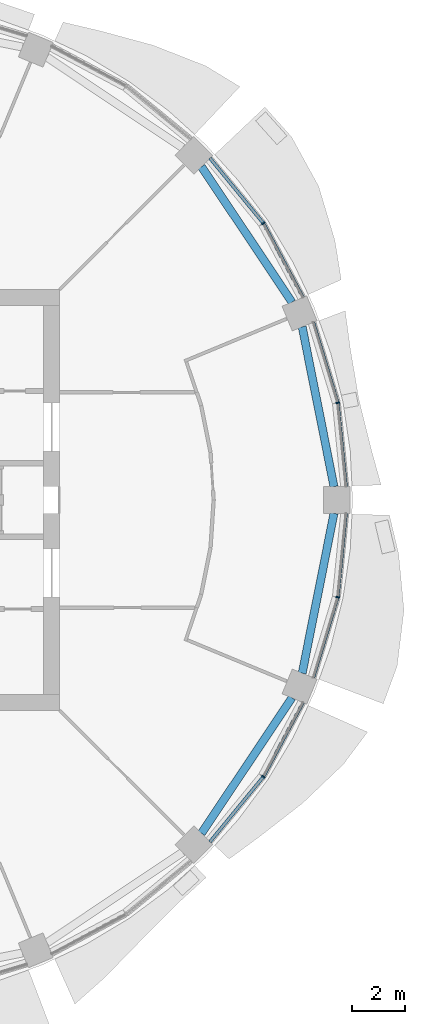
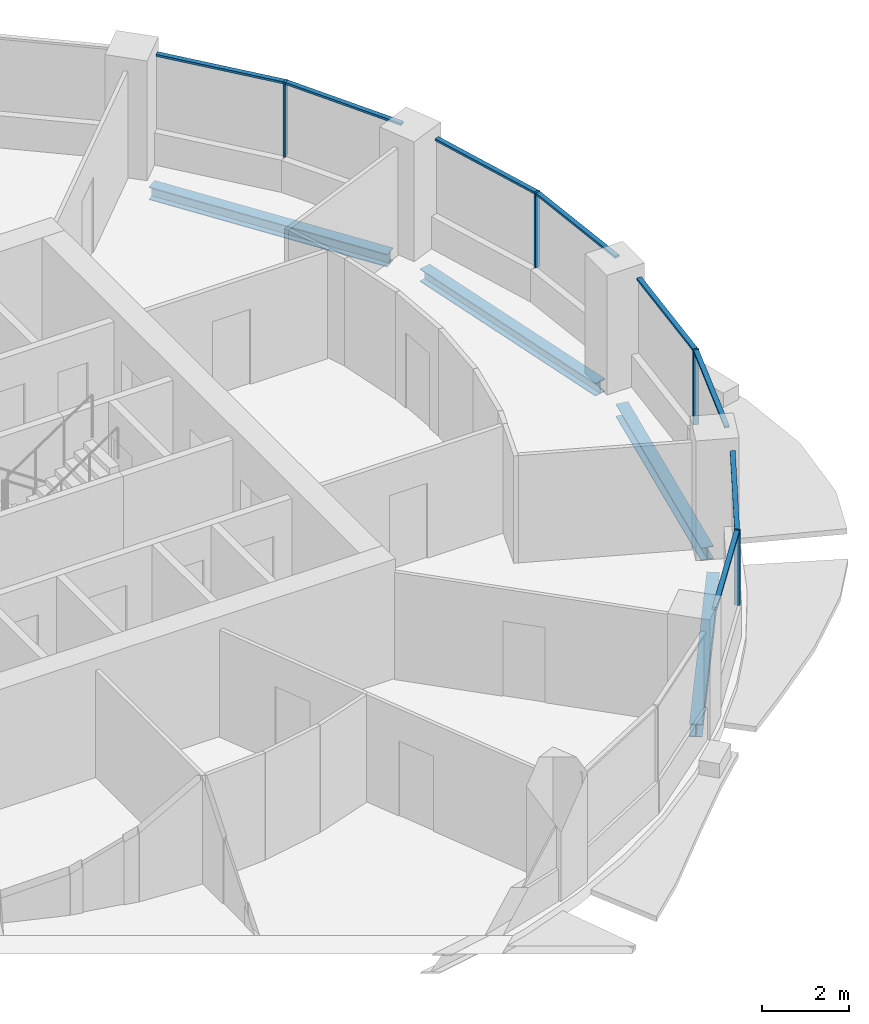
# One storey, part 5 of 15: 12 members, 4 beams, 4 elements without a shape of their own.
"""IFC4 building model written with IfcOpenShell, lengths in metres."""

from ifc_helpers import new_model, si_unit, direction, frame, origin, origin_2d, place, context, subcontext, project, spatial, rectangle, i_section, extrude, material, material_profile, profile_set, type_object, element, aggregate, save


model = new_model("IFC4")

# Units and contexts
model_context = context("Model", 3, precision=1e-05, world=origin(), true_north=direction((0.0, 1.0)))
body_context = subcontext(model_context, "Body", "Model", "MODEL_VIEW")
ifc_project = project(units=[si_unit("LENGTHUNIT", "METRE"), si_unit("AREAUNIT", "SQUARE_METRE"), si_unit("VOLUMEUNIT", "CUBIC_METRE"), si_unit("PLANEANGLEUNIT", "RADIAN"), si_unit("MASSUNIT", "GRAM", prefix="KILO")], contexts=[model_context])

# Site, building, storey
site_placement = place(None, origin())
site = spatial("IfcSite", under=ifc_project, at=site_placement, CompositionType="ELEMENT")
building_placement = place(site_placement, origin())
building = spatial("IfcBuilding", under=site, at=building_placement, Name="Polderwave Tower", CompositionType="ELEMENT")
storey_placement = place(building_placement, frame((0.0, 0.0, 157.800048828125)))
storey = spatial("IfcBuildingStorey", under=building, at=storey_placement, Name="L42", CompositionType="ELEMENT", Elevation=157.800048828125)

# Curtain wall, member
ifc_material_1 = material(Name="Aluminium 6063-T6 and glass", Category="aluminium")
curtain_wall_type = type_object("IfcCurtainWallType", Name="Office ribbon glazing wall", PredefinedType="NOTDEFINED", material=ifc_material_1)
curtain_wall_1_placement = place(storey_placement, origin())
curtain_wall_1 = element("IfcCurtainWall", 1, at=curtain_wall_1_placement, inside=storey, type_object=curtain_wall_type, Name="CW3 L42 00", PredefinedType="NOTDEFINED")
ifc_material_2 = material(Name="Aluminium 6063-T6", Category="aluminium")
ifc_material_profile_1 = material_profile(ifc_material_2, rectangle(XDim=0.139892578125, YDim=0.054931640625, at=origin_2d()), Name="AL 55x140")
ifc_profile_set_1 = profile_set([ifc_material_profile_1], Name="Aluminium 6063-T6")
member_type_1 = type_object("IfcMemberType", Name="Office ribbon glazing mullion 55x140", PredefinedType="MULLION", material=ifc_profile_set_1)
member_1_placement = place(storey_placement, frame((18.27197265625, 3.635009765625, 0.89990234375), z_axis=(0.0, 0.0, 1.0), x_axis=(-0.980786642367, -0.195083474838, 0.0)))
member_1 = element("IfcMember", 2, at=member_1_placement, type_object=member_type_1, Name="CW3 mullion 1", PredefinedType="MULLION", context=body_context, shape_type="SweptSolid", body=[
    extrude(rectangle(XDim=0.139892578125, YDim=0.054931640625, at=origin_2d()), origin(), (0.0, 0.0, 1.0), 2.10009765625),
])

curtain_wall_2_placement = place(storey_placement, origin())
curtain_wall_2 = element("IfcCurtainWall", 3, at=curtain_wall_2_placement, inside=storey, type_object=curtain_wall_type, Name="CW3 L42 01", PredefinedType="NOTDEFINED")
member_2_placement = place(storey_placement, frame((15.489990234375, 10.35009765625, 0.89990234375), z_axis=(0.0, 0.0, 1.0), x_axis=(-0.831484156812, -0.555548465006, 0.0)))
member_2 = element("IfcMember", 4, at=member_2_placement, type_object=member_type_1, Name="CW3 mullion 1", PredefinedType="MULLION", context=body_context, shape_type="SweptSolid", body=[
    extrude(rectangle(XDim=0.139892578125, YDim=0.054931640625, at=origin_2d()), origin(), (0.0, 0.0, 1.0), 2.10009765625),
])

curtain_wall_3_placement = place(storey_placement, origin())
curtain_wall_3 = element("IfcCurtainWall", 5, at=curtain_wall_3_placement, inside=storey, type_object=curtain_wall_type, Name="CW3 L42 14", PredefinedType="NOTDEFINED")
member_3_placement = place(storey_placement, frame((15.489990234375, -10.35009765625, 0.89990234375), z_axis=(0.0, 0.0, 1.0), x_axis=(-0.831484156812, 0.555548465006, 0.0)))
member_3 = element("IfcMember", 6, at=member_3_placement, type_object=member_type_1, Name="CW3 mullion 1", PredefinedType="MULLION", context=body_context, shape_type="SweptSolid", body=[
    extrude(rectangle(XDim=0.139892578125, YDim=0.054931640625, at=origin_2d()), origin(), (0.0, 0.0, 1.0), 2.10009765625),
])

curtain_wall_4_placement = place(storey_placement, origin())
curtain_wall_4 = element("IfcCurtainWall", 7, at=curtain_wall_4_placement, inside=storey, type_object=curtain_wall_type, Name="CW3 L42 15", PredefinedType="NOTDEFINED")
member_4_placement = place(storey_placement, frame((18.27197265625, -3.635009765625, 0.89990234375), z_axis=(0.0, 0.0, 1.0), x_axis=(-0.980786642367, 0.195083474838, 0.0)))
member_4 = element("IfcMember", 8, at=member_4_placement, type_object=member_type_1, Name="CW3 mullion 1", PredefinedType="MULLION", context=body_context, shape_type="SweptSolid", body=[
    extrude(rectangle(XDim=0.139892578125, YDim=0.054931640625, at=origin_2d()), origin(), (0.0, 0.0, 1.0), 2.10009765625),
])

# Member
ifc_material_profile_2 = material_profile(ifc_material_2, rectangle(XDim=0.1201171875, YDim=0.06005859375, at=origin_2d()), Name="AL 60x120")
ifc_profile_set_2 = profile_set([ifc_material_profile_2], Name="Aluminium 6063-T6")
member_type_2 = type_object("IfcMemberType", Name="Office ribbon glazing transom 60x120", PredefinedType="USERDEFINED", material=ifc_profile_set_2)
member_5_placement = place(storey_placement, frame((18.5810546875, 0.5, 2.969970703125), z_axis=(-0.098118026186, 0.995174785119, 0.0), x_axis=(-0.995174785119, -0.098118026186, 0.0)))
member_5 = element("IfcMember", 9, at=member_5_placement, type_object=member_type_2, Name="CW3 transom 1", ObjectType="TRANSOM", PredefinedType="USERDEFINED", context=body_context, shape_type="SweptSolid", body=[
    extrude(rectangle(XDim=0.1201171875, YDim=0.06005859375, at=origin_2d()), origin(), (0.0, 0.0, 1.0), 3.122802734375),
])

member_6_placement = place(storey_placement, frame((18.263916015625, 3.661376953125, 2.969970703125), z_axis=(-0.290209241883, 0.956963215555, 0.0), x_axis=(-0.956963215555, -0.290209241883, 0.0)))
member_6 = element("IfcMember", 10, at=member_6_placement, type_object=member_type_2, Name="CW3 transom 2", ObjectType="TRANSOM", PredefinedType="USERDEFINED", context=body_context, shape_type="SweptSolid", body=[
    extrude(rectangle(XDim=0.1201171875, YDim=0.06005859375, at=origin_2d()), origin(), (0.0, 0.0, 1.0), 3.121826171875),
])

aggregate(curtain_wall_1, [member_1, member_5, member_6])

member_7_placement = place(storey_placement, frame((16.97509765625, 7.572021484375, 2.969970703125), z_axis=(-0.471472684712, 0.881880665153, 0.0), x_axis=(-0.881880665153, -0.471472684712, 0.0)))
member_7 = element("IfcMember", 11, at=member_7_placement, type_object=member_type_2, Name="CW3 transom 1", ObjectType="TRANSOM", PredefinedType="USERDEFINED", context=body_context, shape_type="SweptSolid", body=[
    extrude(rectangle(XDim=0.1201171875, YDim=0.06005859375, at=origin_2d()), origin(), (0.0, 0.0, 1.0), 3.12255859375),
])

member_8_placement = place(storey_placement, frame((15.47265625, 10.371337890625, 2.969970703125), z_axis=(-0.634382512988, 0.773019292913, 0.0), x_axis=(-0.773019292913, -0.634382512988, 0.0)))
member_8 = element("IfcMember", 12, at=member_8_placement, type_object=member_type_2, Name="CW3 transom 2", ObjectType="TRANSOM", PredefinedType="USERDEFINED", context=body_context, shape_type="SweptSolid", body=[
    extrude(rectangle(XDim=0.1201171875, YDim=0.06005859375, at=origin_2d()), origin(), (0.0, 0.0, 1.0), 3.122314453125),
])

aggregate(curtain_wall_2, [member_2, member_7, member_8])

member_9_placement = place(storey_placement, frame((13.491943359375, -12.784912109375, 2.969970703125), z_axis=(0.634382512988, 0.773019292913, 0.0), x_axis=(-0.773019292913, 0.634382512988, 0.0)))
member_9 = element("IfcMember", 13, at=member_9_placement, type_object=member_type_2, Name="CW3 transom 1", ObjectType="TRANSOM", PredefinedType="USERDEFINED", context=body_context, shape_type="SweptSolid", body=[
    extrude(rectangle(XDim=0.1201171875, YDim=0.06005859375, at=origin_2d()), origin(), (0.0, 0.0, 1.0), 3.122314453125),
])

member_10_placement = place(storey_placement, frame((15.5029296875, -10.32568359375, 2.969970703125), z_axis=(0.471472684712, 0.881880665153, 0.0), x_axis=(-0.881880665153, 0.471472684712, 0.0)))
member_10 = element("IfcMember", 14, at=member_10_placement, type_object=member_type_2, Name="CW3 transom 2", ObjectType="TRANSOM", PredefinedType="USERDEFINED", context=body_context, shape_type="SweptSolid", body=[
    extrude(rectangle(XDim=0.1201171875, YDim=0.06005859375, at=origin_2d()), origin(), (0.0, 0.0, 1.0), 3.12255859375),
])

aggregate(curtain_wall_3, [member_3, member_9, member_10])

member_11_placement = place(storey_placement, frame((17.35791015625, -6.64892578125, 2.969970703125), z_axis=(0.290209241883, 0.956963215555, 0.0), x_axis=(-0.956963215555, 0.290209241883, 0.0)))
member_11 = element("IfcMember", 15, at=member_11_placement, type_object=member_type_2, Name="CW3 transom 1", ObjectType="TRANSOM", PredefinedType="USERDEFINED", context=body_context, shape_type="SweptSolid", body=[
    extrude(rectangle(XDim=0.1201171875, YDim=0.06005859375, at=origin_2d()), origin(), (0.0, 0.0, 1.0), 3.121826171875),
])

member_12_placement = place(storey_placement, frame((18.274658203125, -3.607666015625, 2.969970703125), z_axis=(0.098118026186, 0.995174785119, 0.0), x_axis=(-0.995174785119, 0.098118026186, 0.0)))
member_12 = element("IfcMember", 16, at=member_12_placement, type_object=member_type_2, Name="CW3 transom 2", ObjectType="TRANSOM", PredefinedType="USERDEFINED", context=body_context, shape_type="SweptSolid", body=[
    extrude(rectangle(XDim=0.1201171875, YDim=0.06005859375, at=origin_2d()), origin(), (0.0, 0.0, 1.0), 3.122802734375),
])

aggregate(curtain_wall_4, [member_4, member_11, member_12])

# Beams
ifc_material_3 = material(Name="Steel S355", Category="steel")
ifc_material_profile_3 = material_profile(ifc_material_3, i_section(OverallWidth=0.300048828125, OverallDepth=0.360107421875, WebThickness=0.012451171875, FlangeThickness=0.0224609375, at=origin_2d()), Name="HE 360 B")
ifc_profile_set_3 = profile_set([ifc_material_profile_3], Name="Steel S355")
beam_type = type_object("IfcBeamType", Name="RING BEAM HE 360 B", PredefinedType="BEAM", material=ifc_profile_set_3)
for number, where, z_axis, x_axis, name in (
    (17, (18.130615234375, 0.5, -0.530029296875), (-0.19508354483, 0.980786628445, 0.0), (-0.980786628445, -0.19508354483, 0.0), "ST-RB-L42-00"),
    (18, (16.55908203125, 7.400146484375, -0.530029296875), (-0.555550531273, 0.831482776251, 0.0), (-0.831482776251, -0.555550531273, 0.0), "ST-RB-L42-01"),
    (19, (13.173828125, -12.466796875, -0.530029296875), (0.555550531273, 0.831482776251, 0.0), (-0.831482776251, 0.555550531273, 0.0), "ST-RB-L42-14"),
    (20, (16.94189453125, -6.476318359375, -0.530029296875), (0.19508354483, 0.980786628445, 0.0), (-0.980786628445, 0.19508354483, 0.0), "ST-RB-L42-15"),
):
    element("IfcBeam", number, at=place(storey_placement, frame(where, z_axis=z_axis, x_axis=x_axis)), inside=storey, type_object=beam_type, Name=name, PredefinedType="BEAM", context=body_context, shape_type="SweptSolid", body=[
        extrude(i_section(OverallWidth=0.300048828125, OverallDepth=0.360107421875, WebThickness=0.012451171875, FlangeThickness=0.0224609375, at=origin_2d()), origin(), (0.0, 0.0, 1.0), 6.093505859375),
    ])

save(model, "model.ifc")
